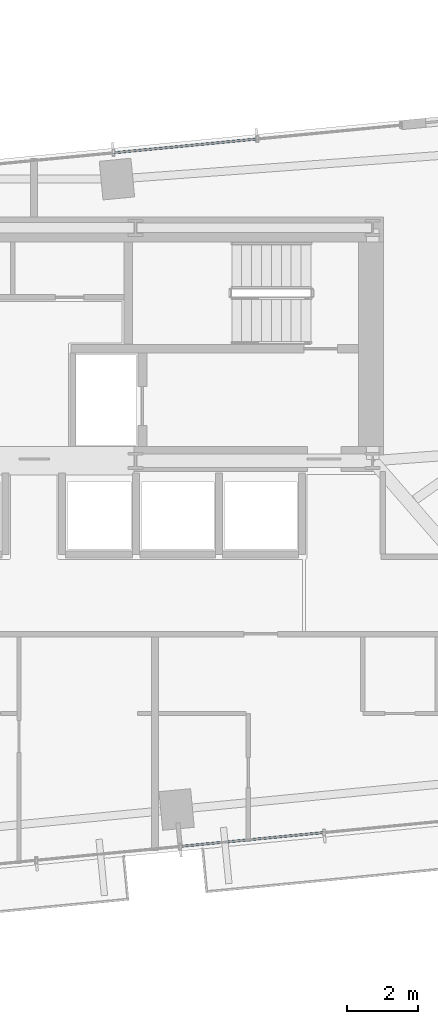
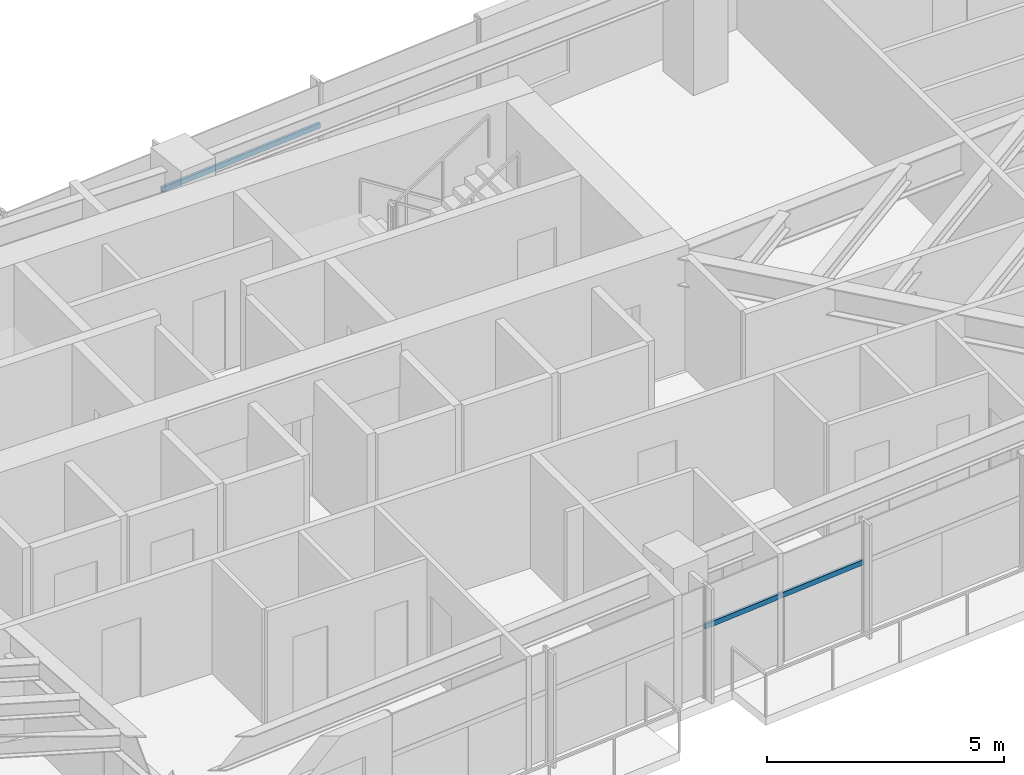
# One storey, part 11 of 27: 2 members, 2 elements without a shape of their own.
"""IFC4 building model written with IfcOpenShell, lengths in metres."""

from ifc_helpers import new_model, si_unit, direction, frame, origin, origin_2d, place, context, subcontext, project, spatial, hollow_rectangle, extrude, source, transform, mapped, material, material_profile, profile_set, type_object, type_shapes, element, aggregate, save


model = new_model("IFC4")

# Units and contexts
model_context = context("Model", 3, precision=1e-05, world=origin(), true_north=direction((0.0, 1.0)))
body_context = subcontext(model_context, "Body", "Model", "MODEL_VIEW")
ifc_project = project(units=[si_unit("LENGTHUNIT", "METRE"), si_unit("AREAUNIT", "SQUARE_METRE"), si_unit("VOLUMEUNIT", "CUBIC_METRE"), si_unit("PLANEANGLEUNIT", "RADIAN"), si_unit("MASSUNIT", "GRAM", prefix="KILO")], contexts=[model_context])

# Site, building, storey
site_placement = place(None, origin())
site = spatial("IfcSite", under=ifc_project, at=site_placement, CompositionType="ELEMENT")
building_placement = place(site_placement, origin())
building = spatial("IfcBuilding", under=site, at=building_placement, Name="Astriad Promenade Condominiums", CompositionType="ELEMENT")
storey_placement = place(building_placement, frame((0.0, 0.0, 87.39990234375)))
storey = spatial("IfcBuildingStorey", under=building, at=storey_placement, Name="L24", CompositionType="ELEMENT", Elevation=87.39990234375)

# Curtain wall, member
ifc_material_1 = material(Name="Anodised aluminium Black Dark Glass Unitised", Category="aluminium")
curtain_wall_type = type_object("IfcCurtainWallType", Name="CW-B2-DARK", PredefinedType="USERDEFINED", material=ifc_material_1)
curtain_wall_1_placement = place(storey_placement, origin())
curtain_wall_1 = element("IfcCurtainWall", 1, at=curtain_wall_1_placement, inside=storey, type_object=curtain_wall_type, Name="CW-L24-N", ObjectType="UNITISED_CURTAIN_WALL", PredefinedType="USERDEFINED")
ifc_material_2 = material(Name="Anodised aluminium 6063-T6 Black", Category="aluminium")
ifc_material_profile = material_profile(ifc_material_2, hollow_rectangle(XDim=0.06494140625, YDim=0.1298828125, WallThickness=0.00390625, at=origin_2d()), Name="ALU-TRN-65X130")
ifc_profile_set = profile_set([ifc_material_profile], Name="Anodised aluminium 6063-T6 Black")
member_type = type_object("IfcMemberType", Name="TRN-ALU-TRN-65X130", PredefinedType="USERDEFINED", material=ifc_profile_set)
shared_shape = source(origin(), body_context, "Body", "SweptSolid", [
    extrude(hollow_rectangle(XDim=0.06494140625, YDim=0.1298828125, WallThickness=0.00390625, at=origin_2d()), origin(), (0.0, 0.0, 1.0), 4.094970703125),
])
type_shapes(member_type, [shared_shape])
member_1_placement = place(storey_placement, frame((38.25390625, 26.12451171875, 1.822998046875), z_axis=(0.995394161585, 0.09586690296, 0.0), x_axis=(-0.09586690296, 0.995394161585, 0.0)))
member_1 = element("IfcMember", 2, at=member_1_placement, type_object=member_type, Name="CW-L24-N-TRN-02-0", ObjectType="TRANSOM", PredefinedType="USERDEFINED", context=body_context, shape_type="MappedRepresentation", body=[
    mapped(shared_shape, transform((0.0, 0.0, 0.0), scale=1.0)),
])
aggregate(curtain_wall_1, [member_1])

curtain_wall_2_placement = place(storey_placement, origin())
curtain_wall_2 = element("IfcCurtainWall", 3, at=curtain_wall_2_placement, inside=storey, type_object=curtain_wall_type, Name="CW-L24-S", ObjectType="UNITISED_CURTAIN_WALL", PredefinedType="USERDEFINED")
member_2_placement = place(storey_placement, frame((44.22216796875, 6.867919921875, 1.822998046875), z_axis=(-0.995394161585, -0.09586690296, 0.0), x_axis=(0.09586690296, -0.995394161585, 0.0)))
member_2 = element("IfcMember", 4, at=member_2_placement, type_object=member_type, Name="CW-L24-S-TRN-01-0", ObjectType="TRANSOM", PredefinedType="USERDEFINED", context=body_context, shape_type="MappedRepresentation", body=[
    mapped(shared_shape, transform((0.0, 0.0, 0.0), scale=1.0)),
])
aggregate(curtain_wall_2, [member_2])

save(model, "model.ifc")
